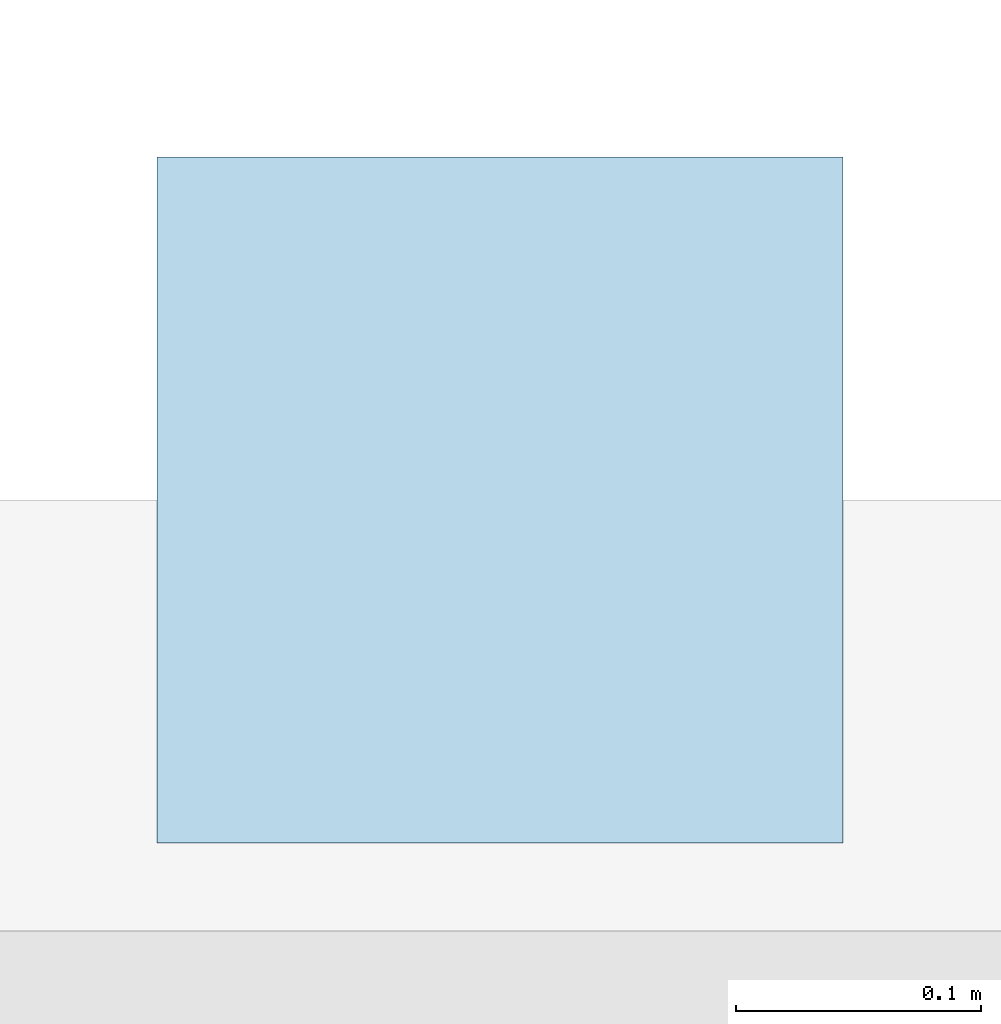
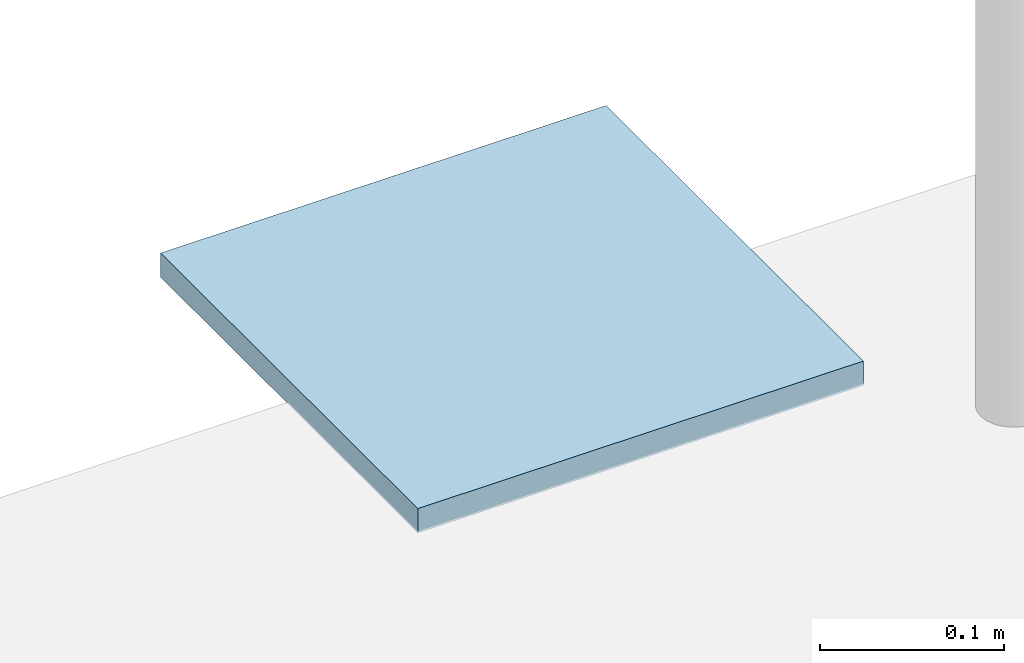
# One storey, part 14 of 27: 1 plate.
"""IFC4 building model written with IfcOpenShell, lengths in metres."""

from ifc_helpers import new_model, si_unit, direction, frame, origin, origin_2d, place, context, subcontext, project, spatial, rectangle, extrude, material, layer, layer_set, type_object, element, save


model = new_model("IFC4")

# Units and contexts
model_context = context("Model", 3, precision=1e-05, world=origin(), true_north=direction((0.0, 1.0)))
body_context = subcontext(model_context, "Body", "Model", "MODEL_VIEW")
ifc_project = project(units=[si_unit("LENGTHUNIT", "METRE"), si_unit("AREAUNIT", "SQUARE_METRE"), si_unit("VOLUMEUNIT", "CUBIC_METRE"), si_unit("PLANEANGLEUNIT", "RADIAN"), si_unit("MASSUNIT", "GRAM", prefix="KILO")], contexts=[model_context])

# Site, building, storey
site_placement = place(None, origin())
site = spatial("IfcSite", under=ifc_project, at=site_placement, CompositionType="ELEMENT")
building_placement = place(site_placement, origin())
building = spatial("IfcBuilding", under=site, at=building_placement, Name="Varnakota Square Police Headquarters", CompositionType="ELEMENT")
storey_placement = place(building_placement, frame((0.0, 0.0, 26.10009765625)))
storey = spatial("IfcBuildingStorey", under=building, at=storey_placement, Name="L06", CompositionType="ELEMENT", Elevation=26.10009765625)

# Plate
ifc_material = material(Name="Steel IS 2062 Grade 350", Category="steel")
ifc_layer = layer(ifc_material, 0.01611328125, Name="Steel IS 2062 Grade 350")
ifc_layer_set = layer_set([ifc_layer], Name="Steel IS 2062 Grade 350")
plate_type = type_object("IfcPlateType", Name="PL-CAP-16", PredefinedType="SHEET", material=ifc_layer_set)
plate_placement = place(storey_placement, frame((150.0, 45.0, -0.002197265625), z_axis=(0.0, 0.0, 1.0), x_axis=(1.0, 0.0, 0.0)))
element("IfcPlate", 1, at=plate_placement, inside=storey, type_object=plate_type, Name="Hollow column top cap plate CP-COL-X1500-Y0450", PredefinedType="SHEET", context=body_context, shape_type="SweptSolid", body=[
    extrude(rectangle(XDim=0.280029296875, YDim=0.280029296875, at=origin_2d()), origin(), (0.0, 0.0, 1.0), 0.01611328125),
])

save(model, "model.ifc")
